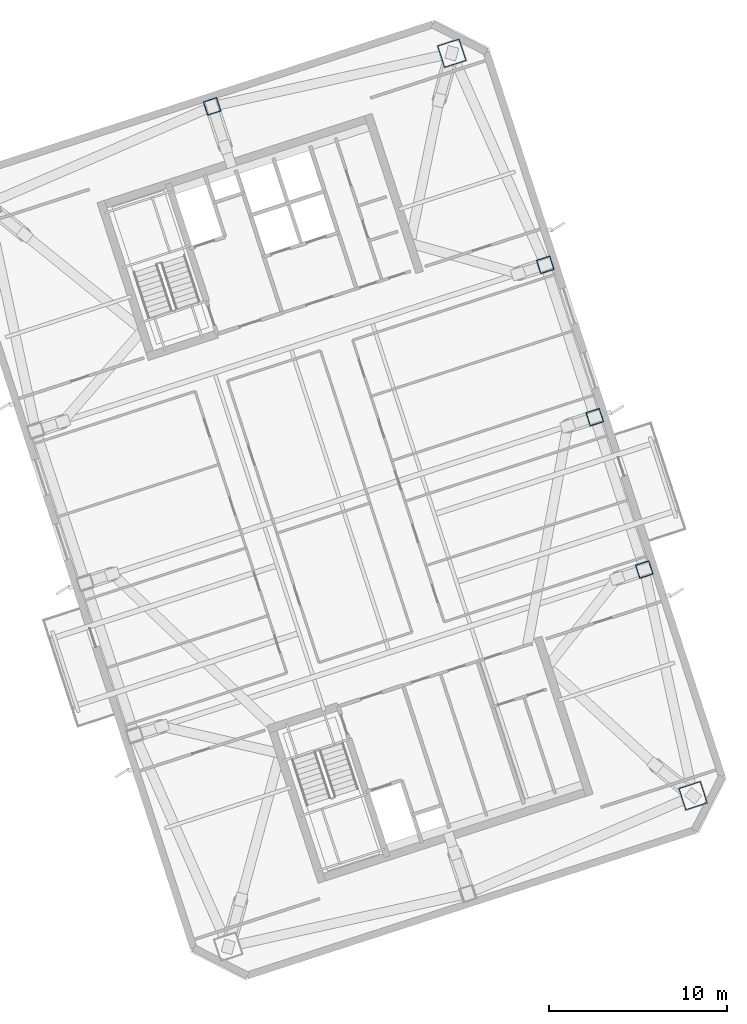
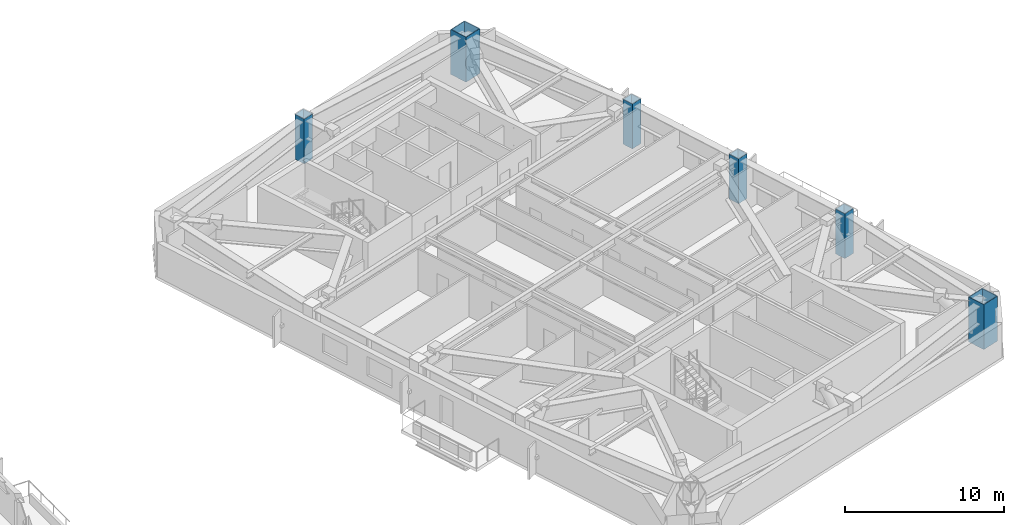
# One storey, part 2 of 18: 6 columns.
"""IFC4 building model written with IfcOpenShell, lengths in metres."""

from ifc_helpers import new_model, si_unit, direction, frame, origin, origin_2d, place, context, subcontext, project, spatial, hollow_rectangle, extrude, material, material_profile, profile_set, type_object, element, save


model = new_model("IFC4")

# Units and contexts
model_context = context("Model", 3, precision=1e-05, world=origin(), true_north=direction((0.0, 1.0)))
body_context = subcontext(model_context, "Body", "Model", "MODEL_VIEW")
ifc_project = project(units=[si_unit("LENGTHUNIT", "METRE"), si_unit("AREAUNIT", "SQUARE_METRE"), si_unit("VOLUMEUNIT", "CUBIC_METRE"), si_unit("PLANEANGLEUNIT", "RADIAN"), si_unit("MASSUNIT", "GRAM", prefix="KILO")], contexts=[model_context])

# Site, building, storey
site_placement = place(None, origin())
site = spatial("IfcSite", under=ifc_project, at=site_placement, CompositionType="ELEMENT")
building_placement = place(site_placement, origin())
building = spatial("IfcBuilding", under=site, at=building_placement, Name="Qiaolan Cultural Towers", CompositionType="ELEMENT")
storey_placement = place(building_placement, frame((0.0, 0.0, 195.5)))
storey = spatial("IfcBuildingStorey", under=building, at=storey_placement, Name="L52", CompositionType="ELEMENT", Elevation=195.5)

# Columns
ifc_material_1 = material(Name="Steel Q390GJB", Category="steel")
ifc_material_profile_1 = material_profile(ifc_material_1, hollow_rectangle(XDim=1.300048828125, YDim=1.300048828125, WallThickness=0.044921875, at=origin_2d()), Name="BOX1300x1300x45")
ifc_profile_set_1 = profile_set([ifc_material_profile_1], Name="Steel Q390GJB")
column_type_1 = type_object("IfcColumnType", Name="COL-BOX1300x1300x45", PredefinedType="COLUMN", material=ifc_profile_set_1)
for number, where, z_axis, x_axis, name in (
    (1, (109.834716796875, 17.38623046875, 0.0), (0.0, 0.0, 1.0), (0.951056516295, 0.309016994375, 0.0), "L52 T2 Perimeter Column MC-SE"),
    (2, (96.28125, 59.099365234375, 0.0), (0.0, 0.0, 1.0), (0.951056516295, 0.309016994375, 0.0), "L52 T2 Perimeter Column MC-NE"),
):
    element("IfcColumn", number, at=place(storey_placement, frame(where, z_axis=z_axis, x_axis=x_axis)), inside=storey, type_object=column_type_1, Name=name, PredefinedType="COLUMN", context=body_context, shape_type="SweptSolid", body=[
        extrude(hollow_rectangle(XDim=1.300048828125, YDim=1.300048828125, WallThickness=0.044921875, at=origin_2d()), origin(), (0.0, 0.0, 1.0), 3.450927734375),
    ])
ifc_material_2 = material(Name="Steel Q355B", Category="steel")
ifc_material_profile_2 = material_profile(ifc_material_2, hollow_rectangle(XDim=0.800048828125, YDim=0.800048828125, WallThickness=0.028076171875, at=origin_2d()), Name="BOX800x800x28")
ifc_profile_set_2 = profile_set([ifc_material_profile_2], Name="Steel Q355B")
column_type_2 = type_object("IfcColumnType", Name="COL-BOX800x800x28", PredefinedType="COLUMN", material=ifc_profile_set_2)
for number, where, z_axis, x_axis, name in (
    (3, (107.094482421875, 30.09130859375, 0.0), (0.0, 0.0, 1.0), (0.951056516295, 0.309016994375, 0.0), "L52 T2 Perimeter Column PC-E1"),
    (4, (104.3134765625, 38.650634765625, 0.0), (0.0, 0.0, 1.0), (0.951056516295, 0.309016994375, 0.0), "L52 T2 Perimeter Column PC-E2"),
    (5, (101.5322265625, 47.210205078125, 0.0), (0.0, 0.0, 1.0), (0.951056516295, 0.309016994375, 0.0), "L52 T2 Perimeter Column PC-E3"),
    (6, (82.8154296875, 56.112060546875, 0.0), (0.0, 0.0, 1.0), (0.951056516295, 0.309016994375, 0.0), "L52 T2 Perimeter Column PC-N0"),
):
    element("IfcColumn", number, at=place(storey_placement, frame(where, z_axis=z_axis, x_axis=x_axis)), inside=storey, type_object=column_type_2, Name=name, PredefinedType="COLUMN", context=body_context, shape_type="SweptSolid", body=[
        extrude(hollow_rectangle(XDim=0.800048828125, YDim=0.800048828125, WallThickness=0.028076171875, at=origin_2d()), origin(), (0.0, 0.0, 1.0), 3.450927734375),
    ])

save(model, "model.ifc")
